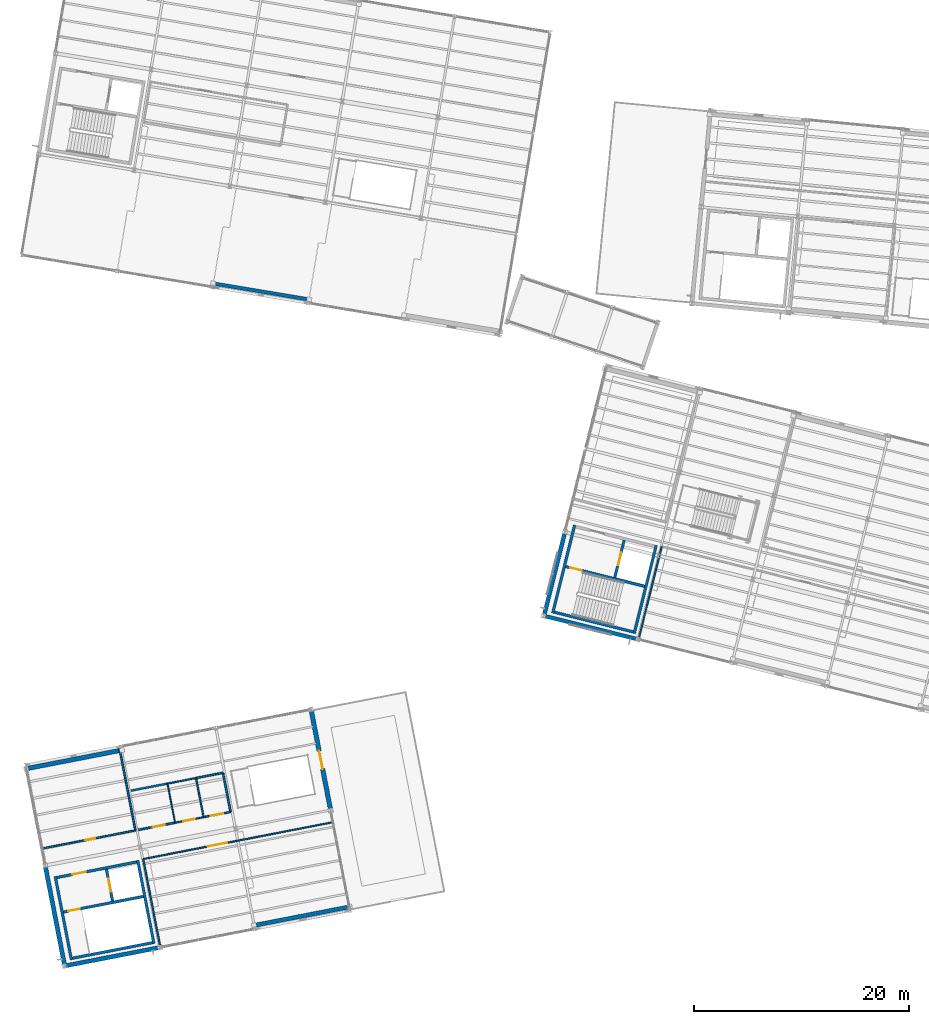
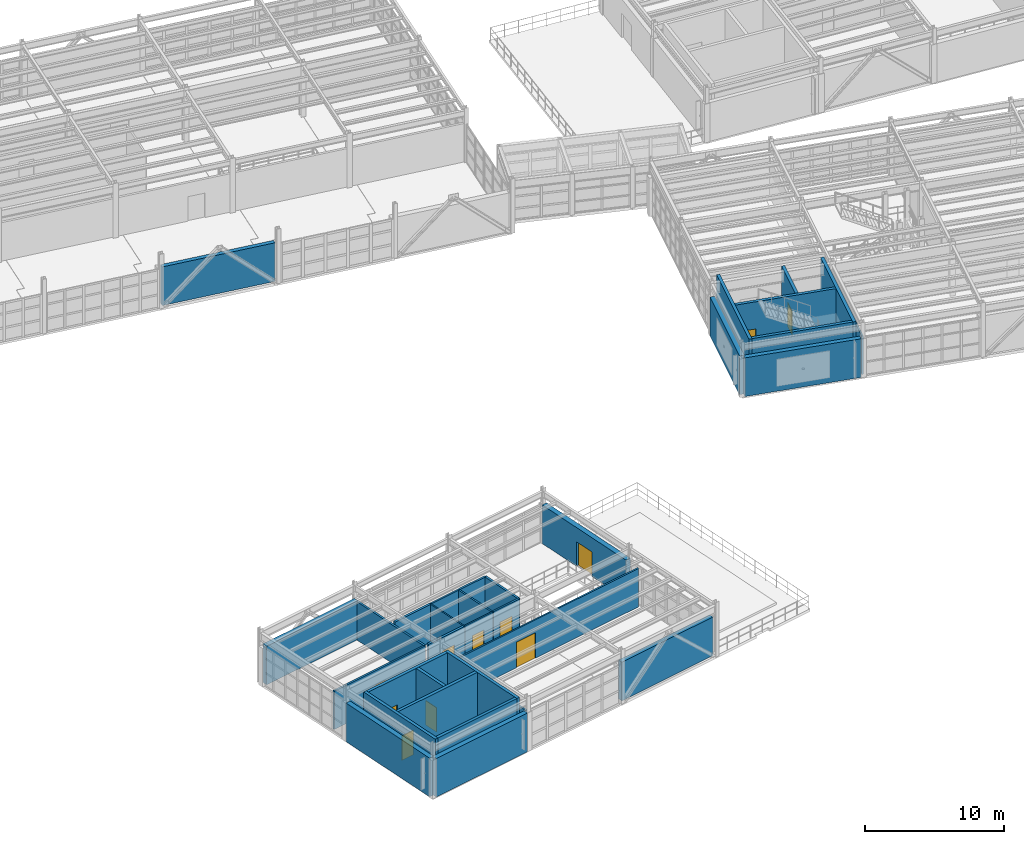
# One storey, part 85 of 102: 33 walls, 11 doors, 11 openings.
"""IFC4 building model written with IfcOpenShell, lengths in metres."""

from ifc_helpers import new_model, si_unit, direction, frame, frame_2d, origin, origin_with_axes, place, context, subcontext, project, spatial, rectangle, extrude, material, layer, layer_set, type_object, element, fill, save


model = new_model("IFC4")

# Units and contexts
model_context = context("Model", 3, precision=1e-05, world=origin(), true_north=direction((0.0, 1.0)))
body_context = subcontext(model_context, "Body", "Model", "MODEL_VIEW")
ifc_project = project(units=[si_unit("LENGTHUNIT", "METRE"), si_unit("AREAUNIT", "SQUARE_METRE"), si_unit("VOLUMEUNIT", "CUBIC_METRE"), si_unit("PLANEANGLEUNIT", "RADIAN"), si_unit("MASSUNIT", "GRAM", prefix="KILO")], contexts=[model_context])

# Site, building, storey
site_placement = place(None, origin())
site = spatial("IfcSite", under=ifc_project, at=site_placement, CompositionType="ELEMENT")
building_placement = place(site_placement, origin())
building = spatial("IfcBuilding", under=site, at=building_placement, Name="Vireo Bluff Cable Station", CompositionType="ELEMENT")
storey_placement = place(building_placement, frame((0.0, 0.0, 9.60009765625)))
storey = spatial("IfcBuildingStorey", under=building, at=storey_placement, Name="L02", CompositionType="ELEMENT", Elevation=9.60009765625)

# Walls
ifc_material_1 = material(Name="Precast concrete f'c 45 MPa", Category="concrete")
ifc_layer_1 = layer(ifc_material_1, 0.330078125, Name="Precast concrete f'c 45 MPa")
ifc_layer_set_1 = layer_set([ifc_layer_1], Name="Precast concrete f'c 45 MPa")
wall_type_1 = type_object("IfcWallType", Name="EW-PRECAST-330", PredefinedType="SOLIDWALL", material=ifc_layer_set_1)
wall_1_placement = place(storey_placement, frame((32.031494140625, 67.40478515625, 0.0), z_axis=(0.0, 0.0, 1.0), x_axis=(-0.986282777047, 0.165064483464, 0.0)))
element("IfcWall", 1, at=wall_1_placement, inside=storey, type_object=wall_type_1, Name="V4 L02 south exterior wall 80", PredefinedType="SOLIDWALL", context=body_context, shape_type="SweptSolid", body=[
    extrude(rectangle(XDim=8.68505859375, YDim=0.330078125, at=frame_2d((4.342529296875, 0.0))), origin(), (0.0, 0.0, 1.0), 3.39990234375),
])
ifc_layer_2 = layer(ifc_material_1, 0.360107421875, Name="Precast concrete f'c 45 MPa")
ifc_layer_set_2 = layer_set([ifc_layer_2], Name="Precast concrete f'c 45 MPa")
wall_type_2 = type_object("IfcWallType", Name="EW-PRECAST-360", PredefinedType="SOLIDWALL", material=ifc_layer_set_2)
wall_2_placement = place(storey_placement, frame((62.580810546875, 35.860595703125, 0.0), z_axis=(0.0, 0.0, 1.0), x_axis=(-0.970297212833, 0.241915933268, 0.0)))
element("IfcWall", 2, at=wall_2_placement, inside=storey, type_object=wall_type_2, Name="V1 L02 south exterior wall 13", PredefinedType="SOLIDWALL", context=body_context, shape_type="SweptSolid", body=[
    extrude(rectangle(XDim=8.71435546875, YDim=0.360107421875, at=frame_2d((4.357177734375, 0.0))), origin(), (0.0, 0.0, 1.0), 3.39990234375),
])
ifc_layer_3 = layer(ifc_material_1, 0.3701171875, Name="Precast concrete f'c 45 MPa")
ifc_layer_set_3 = layer_set([ifc_layer_3], Name="Precast concrete f'c 45 MPa")
wall_type_3 = type_object("IfcWallType", Name="EW-PRECAST-370", PredefinedType="SOLIDWALL", material=ifc_layer_set_3)
wall_3_placement = place(storey_placement, frame((54.03759765625, 38.150390625, 0.0), z_axis=(0.0, 0.0, 1.0), x_axis=(0.241924698327, 0.970295027473, 0.0)))
element("IfcWall", 3, at=wall_3_placement, inside=storey, type_object=wall_type_3, Name="V1 L02 west exterior wall 14", PredefinedType="SOLIDWALL", context=body_context, shape_type="SweptSolid", body=[
    extrude(rectangle(XDim=7.7109375, YDim=0.3701171875, at=frame_2d((3.85546875, 0.0))), origin(), (0.0, 0.0, 1.0), 3.39990234375),
])
ifc_layer_4 = layer(ifc_material_1, 0.3798828125, Name="Precast concrete f'c 45 MPa")
ifc_layer_set_4 = layer_set([ifc_layer_4], Name="Precast concrete f'c 45 MPa")
wall_type_4 = type_object("IfcWallType", Name="EW-PRECAST-380", PredefinedType="SOLIDWALL", material=ifc_layer_set_4)
wall_4_placement = place(storey_placement, frame((35.785400390625, 10.955810546875, 0.0), z_axis=(0.0, 0.0, 1.0), x_axis=(-0.981625921852, -0.190815485611, 0.0)))
element("IfcWall", 4, at=wall_4_placement, inside=storey, type_object=wall_type_4, Name="V5 L02 south exterior wall 105", PredefinedType="SOLIDWALL", context=body_context, shape_type="SweptSolid", body=[
    extrude(rectangle(XDim=8.68505859375, YDim=0.3798828125, at=frame_2d((4.342529296875, 0.0))), origin(), (0.0, 0.0, 1.0), 3.39990234375),
])
ifc_layer_5 = layer(ifc_material_1, 0.389892578125, Name="Precast concrete f'c 45 MPa")
ifc_layer_set_5 = layer_set([ifc_layer_5], Name="Precast concrete f'c 45 MPa")
wall_type_5 = type_object("IfcWallType", Name="EW-PRECAST-390", PredefinedType="SOLIDWALL", material=ifc_layer_set_5)
wall_5_placement = place(storey_placement, frame((18.180908203125, 7.1875, 0.0), z_axis=(0.0, 0.0, 1.0), x_axis=(-0.981624721818, -0.190821658928, 0.0)))
element("IfcWall", 5, at=wall_5_placement, inside=storey, type_object=wall_type_5, Name="V5 L02 south exterior wall 106", PredefinedType="SOLIDWALL", context=body_context, shape_type="SweptSolid", body=[
    extrude(rectangle(XDim=8.712890625, YDim=0.389892578125, at=frame_2d((4.3564453125, 0.0))), origin(), (0.0, 0.0, 1.0), 3.39990234375),
])
ifc_layer_6 = layer(ifc_material_1, 0.39990234375, Name="Precast concrete f'c 45 MPa")
ifc_layer_set_6 = layer_set([ifc_layer_6], Name="Precast concrete f'c 45 MPa")
wall_type_6 = type_object("IfcWallType", Name="EW-PRECAST-400", PredefinedType="SOLIDWALL", material=ifc_layer_set_6)
wall_6_placement = place(storey_placement, frame((9.474365234375, 5.631591796875, 0.0), z_axis=(0.0, 0.0, 1.0), x_axis=(-0.190802200021, 0.981628504307, 0.0)))
element("IfcWall", 6, at=wall_6_placement, inside=storey, type_object=wall_type_6, Name="V5 L02 west exterior wall 107", PredefinedType="SOLIDWALL", context=body_context, shape_type="SweptSolid", body=[
    extrude(rectangle(XDim=9.202392578125, YDim=0.39990234375, at=frame_2d((4.60107421875, 0.0))), origin(), (0.0, 0.0, 1.0), 3.39990234375),
])
ifc_layer_7 = layer(ifc_material_1, 0.409912109375, Name="Precast concrete f'c 45 MPa")
ifc_layer_set_7 = layer_set([ifc_layer_7], Name="Precast concrete f'c 45 MPa")
wall_type_7 = type_object("IfcWallType", Name="EW-PRECAST-410", PredefinedType="SOLIDWALL", material=ifc_layer_set_7)
wall_7_placement = place(storey_placement, frame((6.094970703125, 23.847412109375, 0.0), z_axis=(0.0, 0.0, 1.0), x_axis=(0.981626909713, 0.190810403615, 0.0)))
element("IfcWall", 7, at=wall_7_placement, inside=storey, type_object=wall_type_7, Name="V5 L02 north exterior wall 108", PredefinedType="SOLIDWALL", context=body_context, shape_type="SweptSolid", body=[
    extrude(rectangle(XDim=8.712158203125, YDim=0.409912109375, at=frame_2d((4.35595703125, 0.0))), origin(), (0.0, 0.0, 1.0), 3.39990234375),
])

# Wall, opening, door
ifc_layer_8 = layer(ifc_material_1, 0.419921875, Name="Precast concrete f'c 45 MPa")
ifc_layer_set_8 = layer_set([ifc_layer_8], Name="Precast concrete f'c 45 MPa")
wall_type_8 = type_object("IfcWallType", Name="EW-PRECAST-420", PredefinedType="SOLIDWALL", material=ifc_layer_set_8)
wall_8_placement = place(storey_placement, frame((32.40966796875, 29.142333984375, 0.0), z_axis=(0.0, 0.0, 1.0), x_axis=(0.19082776378, -0.981623535053, 0.0)))
wall_8 = element("IfcWall", 8, at=wall_8_placement, inside=storey, type_object=wall_type_8, Name="V5 L02 east exterior wall 109", PredefinedType="SOLIDWALL", context=body_context, shape_type="SweptSolid", body=[
    extrude(rectangle(XDim=9.20263671875, YDim=0.419921875, at=frame_2d((4.601318359375, 0.0))), origin(), (0.0, 0.0, 1.0), 3.39990234375),
])
opening_1_placement = place(wall_8_placement, frame((3.751220703125, 0.0, 0.0)))
opening_1 = element("IfcOpeningElement", 9, at=opening_1_placement, cuts=wall_8, Name="Opening TD-004", PredefinedType="OPENING", context=body_context, shape_type="SweptSolid", body=[
    extrude(rectangle(XDim=1.699951171875, YDim=2.14990234375, at=frame_2d((0.85009765625, 1.074951171875))), frame((0.0, 0.219970703125, 0.0), z_axis=(0.0, -1.0, 0.0), x_axis=(1.0, 0.0, 0.0)), (0.0, 0.0, 1.0), 0.43994140625),
])
ifc_material_2 = material(Name="Anodized Aluminium 6063-T6", Category="aluminium")
door_type_1 = type_object("IfcDoorType", Name="TDOOR-1700X2150", OperationType="NOTDEFINED", PredefinedType="DOOR", material=ifc_material_2)
door_1_placement = place(opening_1_placement, origin_with_axes())
door_1 = element("IfcDoor", 10, at=door_1_placement, inside=storey, type_object=door_type_1, Name="V5 L02 terrace access door TD-004", OperationType="SINGLE_SWING_LEFT", OverallHeight=2.14990234375, OverallWidth=1.699951171875, PredefinedType="DOOR", context=body_context, shape_type="SweptSolid", body=[
    extrude(rectangle(XDim=1.699951171875, YDim=2.14990234375, at=frame_2d((0.85009765625, 1.074951171875))), frame((0.0, 0.02490234375, 0.0), z_axis=(0.0, -1.0, 0.0), x_axis=(1.0, 0.0, 0.0)), (0.0, 0.0, 1.0), 0.050048828125),
])
fill(opening_1, door_1)

# Wall
ifc_material_3 = material(Name="Fire-Rated Gypsum Board Partition")
ifc_layer_9 = layer(ifc_material_3, 0.110107421875, Name="Fire-Rated Gypsum Board Partition")
ifc_layer_set_9 = layer_set([ifc_layer_9], Name="Fire-Rated Gypsum Board Partition")
wall_type_9 = type_object("IfcWallType", Name="PT-1HR-110", PredefinedType="PARTITIONING", material=ifc_layer_set_9)
wall_9_placement = place(storey_placement, frame((19.04443359375, 22.432373046875, 0.0), z_axis=(0.0, 0.0, 1.0), x_axis=(0.190821974723, -0.981624660429, 0.0)))
element("IfcWall", 11, at=wall_9_placement, inside=storey, type_object=wall_type_9, Name="V5 L02 Accessible WC L02 E partition", PredefinedType="PARTITIONING", context=body_context, shape_type="SweptSolid", body=[
    extrude(rectangle(XDim=3.699951171875, YDim=0.110107421875, at=frame_2d((1.85009765625, 0.0))), origin(), (0.0, 0.0, 1.0), 3.3798828125),
])

# Wall, opening, door
ifc_layer_10 = layer(ifc_material_3, 0.1201171875, Name="Fire-Rated Gypsum Board Partition")
ifc_layer_set_10 = layer_set([ifc_layer_10], Name="Fire-Rated Gypsum Board Partition")
wall_type_10 = type_object("IfcWallType", Name="PT-1HR-120", PredefinedType="PARTITIONING", material=ifc_layer_set_10)
wall_10_placement = place(storey_placement, frame((22.40087890625, 19.3154296875, 0.0), z_axis=(0.0, 0.0, 1.0), x_axis=(-0.981629291962, -0.190798147692, 0.0)))
wall_10 = element("IfcWall", 12, at=wall_10_placement, inside=storey, type_object=wall_type_10, Name="V5 L02 Male WC L02 S partition", PredefinedType="PARTITIONING", context=body_context, shape_type="SweptSolid", body=[
    extrude(rectangle(XDim=2.64990234375, YDim=0.1201171875, at=frame_2d((1.324951171875, 0.0))), origin(), (0.0, 0.0, 1.0), 3.3798828125),
])
opening_2_placement = place(wall_10_placement, frame((0.865478515625, 0.0, 0.0)))
opening_2 = element("IfcOpeningElement", 13, at=opening_2_placement, cuts=wall_10, Name="Opening D-0121", PredefinedType="OPENING", context=body_context, shape_type="SweptSolid", body=[
    extrude(rectangle(XDim=1.080078125, YDim=2.179931640625, at=frame_2d((0.5400390625, 1.08984375))), frame((0.0, 0.070068359375, 0.0), z_axis=(0.0, -1.0, 0.0), x_axis=(1.0, 0.0, 0.0)), (0.0, 0.0, 1.0), 0.14013671875),
])
door_type_2 = type_object("IfcDoorType", Name="IDOOR60-1080X2180", OperationType="NOTDEFINED", PredefinedType="DOOR", material=ifc_material_2)
door_2_placement = place(opening_2_placement, origin_with_axes())
door_2 = element("IfcDoor", 14, at=door_2_placement, inside=storey, type_object=door_type_2, Name="V5 L02 Male WC L02 door D-0121", OperationType="SINGLE_SWING_RIGHT", OverallHeight=2.179931640625, OverallWidth=1.080078125, PredefinedType="DOOR", context=body_context, shape_type="SweptSolid", body=[
    extrude(rectangle(XDim=1.080078125, YDim=2.179931640625, at=frame_2d((0.5400390625, 1.08984375))), frame((0.0, 0.02490234375, 0.0), z_axis=(0.0, -1.0, 0.0), x_axis=(1.0, 0.0, 0.0)), (0.0, 0.0, 1.0), 0.050048828125),
])
fill(opening_2, door_2)

# Wall
ifc_layer_11 = layer(ifc_material_3, 0.1298828125, Name="Fire-Rated Gypsum Board Partition")
ifc_layer_set_11 = layer_set([ifc_layer_11], Name="Fire-Rated Gypsum Board Partition")
wall_type_11 = type_object("IfcWallType", Name="PT-1HR-130", PredefinedType="PARTITIONING", material=ifc_layer_set_11)
wall_11_placement = place(storey_placement, frame((62.822265625, 35.9755859375, 0.0), z_axis=(0.0, 0.0, 1.0), x_axis=(0.24193020533, 0.97029365439, 0.0)))
element("IfcWall", 15, at=wall_11_placement, inside=storey, type_object=wall_type_11, Name="V1 L02 Fare-Gate Concourse Mezzanine W partition", PredefinedType="PARTITIONING", context=body_context, shape_type="SweptSolid", body=[
    extrude(rectangle(XDim=8.72998046875, YDim=0.1298828125, at=frame_2d((4.364990234375, 0.0))), origin(), (0.0, 0.0, 1.0), 3.3798828125),
])

# Wall, opening, door
wall_12_placement = place(storey_placement, frame((16.79052734375, 15.42333984375, 0.0), z_axis=(0.0, 0.0, 1.0), x_axis=(0.981627322124, 0.190808281949, 0.0)))
wall_12 = element("IfcWall", 16, at=wall_12_placement, inside=storey, type_object=wall_type_11, Name="V5 L02 Community Room West N partition", PredefinedType="PARTITIONING", context=body_context, shape_type="SweptSolid", body=[
    extrude(rectangle(XDim=17.780029296875, YDim=0.1298828125, at=frame_2d((8.89013671875, 0.0))), origin(), (0.0, 0.0, 1.0), 3.3798828125),
])
opening_3_placement = place(wall_12_placement, frame((6.131103515625, 0.0, 0.0)))
opening_3 = element("IfcOpeningElement", 17, at=opening_3_placement, cuts=wall_12, Name="Opening D-0118", PredefinedType="OPENING", context=body_context, shape_type="SweptSolid", body=[
    extrude(rectangle(XDim=1.800048828125, YDim=2.25, at=frame_2d((0.89990234375, 1.125))), frame((0.0, 0.074951171875, 0.0), z_axis=(0.0, -1.0, 0.0), x_axis=(1.0, 0.0, 0.0)), (0.0, 0.0, 1.0), 0.14990234375),
])
door_type_3 = type_object("IfcDoorType", Name="IDOOR60-1800X2250", OperationType="NOTDEFINED", PredefinedType="DOOR", material=ifc_material_2)
door_3_placement = place(opening_3_placement, origin_with_axes())
door_3 = element("IfcDoor", 18, at=door_3_placement, inside=storey, type_object=door_type_3, Name="V5 L02 Community Room West door D-0118", OperationType="DOUBLE_DOOR_SINGLE_SWING", OverallHeight=2.25, OverallWidth=1.800048828125, PredefinedType="DOOR", context=body_context, shape_type="SweptSolid", body=[
    extrude(rectangle(XDim=1.800048828125, YDim=2.25, at=frame_2d((0.89990234375, 1.125))), frame((0.0, 0.02490234375, 0.0), z_axis=(0.0, -1.0, 0.0), x_axis=(1.0, 0.0, 0.0)), (0.0, 0.0, 1.0), 0.050048828125),
])
fill(opening_3, door_3)

# Walls
wall_13_placement = place(storey_placement, frame((19.093505859375, 22.44189453125, 0.0), z_axis=(0.0, 0.0, 1.0), x_axis=(0.981629291962, 0.190798147692, 0.0)))
element("IfcWall", 19, at=wall_13_placement, inside=storey, type_object=wall_type_11, Name="V5 L02 Male WC L02 N partition", PredefinedType="PARTITIONING", context=body_context, shape_type="SweptSolid", body=[
    extrude(rectangle(XDim=2.64990234375, YDim=0.1298828125, at=frame_2d((1.324951171875, 0.0))), origin(), (0.0, 0.0, 1.0), 3.3798828125),
])
ifc_layer_12 = layer(ifc_material_3, 0.139892578125, Name="Fire-Rated Gypsum Board Partition")
ifc_layer_set_12 = layer_set([ifc_layer_12], Name="Fire-Rated Gypsum Board Partition")
wall_type_12 = type_object("IfcWallType", Name="PT-1HR-140", PredefinedType="PARTITIONING", material=ifc_layer_set_12)
wall_14_placement = place(storey_placement, frame((18.351318359375, 7.393798828125, 0.0), z_axis=(0.0, 0.0, 1.0), x_axis=(-0.190809743504, 0.981627038026, 0.0)))
element("IfcWall", 20, at=wall_14_placement, inside=storey, type_object=wall_type_12, Name="V5 L02 Community Room West W partition", PredefinedType="PARTITIONING", context=body_context, shape_type="SweptSolid", body=[
    extrude(rectangle(XDim=8.179931640625, YDim=0.139892578125, at=frame_2d((4.08984375, 0.0))), origin(), (0.0, 0.0, 1.0), 3.3798828125),
])
wall_15_placement = place(storey_placement, frame((21.69482421875, 22.947509765625, 0.0), z_axis=(0.0, 0.0, 1.0), x_axis=(0.190821974723, -0.981624660429, 0.0)))
element("IfcWall", 21, at=wall_15_placement, inside=storey, type_object=wall_type_12, Name="V5 L02 Male WC L02 E partition", PredefinedType="PARTITIONING", context=body_context, shape_type="SweptSolid", body=[
    extrude(rectangle(XDim=3.699951171875, YDim=0.139892578125, at=frame_2d((1.85009765625, 0.0))), origin(), (0.0, 0.0, 1.0), 3.3798828125),
])

# Wall, opening, door
ifc_layer_13 = layer(ifc_material_3, 0.14990234375, Name="Fire-Rated Gypsum Board Partition")
ifc_layer_set_13 = layer_set([ifc_layer_13], Name="Fire-Rated Gypsum Board Partition")
wall_type_13 = type_object("IfcWallType", Name="PT-1HR-150", PredefinedType="PARTITIONING", material=ifc_layer_set_13)
wall_16_placement = place(storey_placement, frame((16.0693359375, 18.084716796875, 0.0), z_axis=(0.0, 0.0, 1.0), x_axis=(-0.981626513262, -0.190812443151, 0.0)))
wall_16 = element("IfcWall", 22, at=wall_16_placement, inside=storey, type_object=wall_type_13, Name="V5 L02 Garden Pavilion Reading Lounge S partition", PredefinedType="PARTITIONING", context=body_context, shape_type="SweptSolid", body=[
    extrude(rectangle(XDim=8.679931640625, YDim=0.14990234375, at=frame_2d((4.33984375, 0.0))), origin(), (0.0, 0.0, 1.0), 3.3798828125),
])
opening_4_placement = place(wall_16_placement, frame((3.784912109375, 0.0, 0.0)))
opening_4 = element("IfcOpeningElement", 23, at=opening_4_placement, cuts=wall_16, Name="Opening D-0119", PredefinedType="OPENING", context=body_context, shape_type="SweptSolid", body=[
    extrude(rectangle(XDim=0.97998046875, YDim=2.1201171875, at=frame_2d((0.489990234375, 1.06005859375))), frame((0.0, 0.0849609375, 0.0), z_axis=(0.0, -1.0, 0.0), x_axis=(1.0, 0.0, 0.0)), (0.0, 0.0, 1.0), 0.169921875),
])
door_type_4 = type_object("IfcDoorType", Name="IDOOR60-980X2120", OperationType="NOTDEFINED", PredefinedType="DOOR", material=ifc_material_2)
door_4_placement = place(opening_4_placement, origin_with_axes())
door_4 = element("IfcDoor", 24, at=door_4_placement, inside=storey, type_object=door_type_4, Name="V5 L02 Garden Pavilion Reading Lounge door D-0119", OperationType="SINGLE_SWING_RIGHT", OverallHeight=2.1201171875, OverallWidth=0.97998046875, PredefinedType="DOOR", context=body_context, shape_type="SweptSolid", body=[
    extrude(rectangle(XDim=0.97998046875, YDim=2.1201171875, at=frame_2d((0.489990234375, 1.06005859375))), frame((0.0, 0.02490234375, 0.0), z_axis=(0.0, -1.0, 0.0), x_axis=(1.0, 0.0, 0.0)), (0.0, 0.0, 1.0), 0.050048828125),
])
fill(opening_4, door_4)

wall_17_placement = place(storey_placement, frame((24.904052734375, 19.802001953125, 0.0), z_axis=(0.0, 0.0, 1.0), x_axis=(-0.981625553083, -0.190817382683, 0.0)))
wall_17 = element("IfcWall", 25, at=wall_17_placement, inside=storey, type_object=wall_type_13, Name="V5 L02 Female WC L02 S partition", PredefinedType="PARTITIONING", context=body_context, shape_type="SweptSolid", body=[
    extrude(rectangle(XDim=2.5, YDim=0.14990234375, at=frame_2d((1.25, 0.0))), origin(), (0.0, 0.0, 1.0), 3.3798828125),
])
opening_5_placement = place(wall_17_placement, frame((0.71044921875, 0.0, 0.0)))
opening_5 = element("IfcOpeningElement", 26, at=opening_5_placement, cuts=wall_17, Name="Opening D-0122", PredefinedType="OPENING", context=body_context, shape_type="SweptSolid", body=[
    extrude(rectangle(XDim=1.179931640625, YDim=2.179931640625, at=frame_2d((0.58984375, 1.08984375))), frame((0.0, 0.0849609375, 0.0), z_axis=(0.0, -1.0, 0.0), x_axis=(1.0, 0.0, 0.0)), (0.0, 0.0, 1.0), 0.169921875),
])
door_type_5 = type_object("IfcDoorType", Name="IDOOR60-1180X2180", OperationType="NOTDEFINED", PredefinedType="DOOR", material=ifc_material_2)
door_5_placement = place(opening_5_placement, origin_with_axes())
door_5 = element("IfcDoor", 27, at=door_5_placement, inside=storey, type_object=door_type_5, Name="V5 L02 Female WC L02 door D-0122", OperationType="SINGLE_SWING_LEFT", OverallHeight=2.179931640625, OverallWidth=1.179931640625, PredefinedType="DOOR", context=body_context, shape_type="SweptSolid", body=[
    extrude(rectangle(XDim=1.179931640625, YDim=2.179931640625, at=frame_2d((0.58984375, 1.08984375))), frame((0.0, 0.02490234375, 0.0), z_axis=(0.0, -1.0, 0.0), x_axis=(1.0, 0.0, 0.0)), (0.0, 0.0, 1.0), 0.050048828125),
])
fill(opening_5, door_5)

# Walls
ifc_layer_14 = layer(ifc_material_3, 0.1650390625, Name="Fire-Rated Gypsum Board Partition")
ifc_layer_set_14 = layer_set([ifc_layer_14], Name="Fire-Rated Gypsum Board Partition")
wall_type_14 = type_object("IfcWallType", Name="PT-1HR-165", PredefinedType="PARTITIONING", material=ifc_layer_set_14)
wall_18_placement = place(storey_placement, frame((14.594482421875, 25.672607421875, 0.0), z_axis=(0.0, 0.0, 1.0), x_axis=(0.190798647549, -0.981629194805, 0.0)))
element("IfcWall", 28, at=wall_18_placement, inside=storey, type_object=wall_type_14, Name="V5 L02 Garden Pavilion Reading Lounge E partition", PredefinedType="PARTITIONING", context=body_context, shape_type="SweptSolid", body=[
    extrude(rectangle(XDim=7.72998046875, YDim=0.1650390625, at=frame_2d((3.864990234375, 0.0))), origin(), (0.0, 0.0, 1.0), 3.3798828125),
])
wall_19_placement = place(storey_placement, frame((21.743896484375, 22.95703125, 0.0), z_axis=(0.0, 0.0, 1.0), x_axis=(0.981625553083, 0.190817382683, 0.0)))
element("IfcWall", 29, at=wall_19_placement, inside=storey, type_object=wall_type_14, Name="V5 L02 Female WC L02 N partition", PredefinedType="PARTITIONING", context=body_context, shape_type="SweptSolid", body=[
    extrude(rectangle(XDim=2.5, YDim=0.1650390625, at=frame_2d((1.25, 0.0))), origin(), (0.0, 0.0, 1.0), 3.3798828125),
])

# Wall, opening, door
ifc_layer_15 = layer(ifc_material_3, 0.175048828125, Name="Fire-Rated Gypsum Board Partition")
ifc_layer_set_15 = layer_set([ifc_layer_15], Name="Fire-Rated Gypsum Board Partition")
wall_type_15 = type_object("IfcWallType", Name="PT-1HR-175", PredefinedType="PARTITIONING", material=ifc_layer_set_15)
wall_20_placement = place(storey_placement, frame((19.75048828125, 18.80029296875, 0.0), z_axis=(0.0, 0.0, 1.0), x_axis=(-0.981617231159, -0.190860188338, 0.0)))
wall_20 = element("IfcWall", 30, at=wall_20_placement, inside=storey, type_object=wall_type_15, Name="V5 L02 Accessible WC L02 S partition", PredefinedType="PARTITIONING", context=body_context, shape_type="SweptSolid", body=[
    extrude(rectangle(XDim=3.449951171875, YDim=0.175048828125, at=frame_2d((1.72509765625, 0.0))), origin(), (0.0, 0.0, 1.0), 3.3798828125),
])
opening_6_placement = place(wall_20_placement, frame((0.993408203125, 0.0, 0.0)))
opening_6 = element("IfcOpeningElement", 31, at=opening_6_placement, cuts=wall_20, Name="Opening D-0120", PredefinedType="OPENING", context=body_context, shape_type="SweptSolid", body=[
    extrude(rectangle(XDim=1.1201171875, YDim=2.179931640625, at=frame_2d((0.56005859375, 1.08984375))), frame((0.0, 0.09765625, 0.0), z_axis=(0.0, -1.0, 0.0), x_axis=(1.0, 0.0, 0.0)), (0.0, 0.0, 1.0), 0.195068359375),
])
door_type_6 = type_object("IfcDoorType", Name="IDOOR60-1120X2180", OperationType="NOTDEFINED", PredefinedType="DOOR", material=ifc_material_2)
door_6_placement = place(opening_6_placement, origin_with_axes())
door_6 = element("IfcDoor", 32, at=door_6_placement, inside=storey, type_object=door_type_6, Name="V5 L02 Accessible WC L02 door D-0120", OperationType="SINGLE_SWING_LEFT", OverallHeight=2.179931640625, OverallWidth=1.1201171875, PredefinedType="DOOR", context=body_context, shape_type="SweptSolid", body=[
    extrude(rectangle(XDim=1.1201171875, YDim=2.179931640625, at=frame_2d((0.56005859375, 1.08984375))), frame((0.0, 0.02490234375, 0.0), z_axis=(0.0, -1.0, 0.0), x_axis=(1.0, 0.0, 0.0)), (0.0, 0.0, 1.0), 0.050048828125),
])
fill(opening_6, door_6)

# Walls
wall_21_placement = place(storey_placement, frame((24.197998046875, 23.43408203125, 0.0), z_axis=(0.0, 0.0, 1.0), x_axis=(0.190821974723, -0.981624660429, 0.0)))
element("IfcWall", 33, at=wall_21_placement, inside=storey, type_object=wall_type_15, Name="V5 L02 Female WC L02 E partition", PredefinedType="PARTITIONING", context=body_context, shape_type="SweptSolid", body=[
    extrude(rectangle(XDim=3.699951171875, YDim=0.175048828125, at=frame_2d((1.85009765625, 0.0))), origin(), (0.0, 0.0, 1.0), 3.3798828125),
])
ifc_layer_16 = layer(ifc_material_3, 0.18994140625, Name="Fire-Rated Gypsum Board Partition")
ifc_layer_set_16 = layer_set([ifc_layer_16], Name="Fire-Rated Gypsum Board Partition")
wall_type_16 = type_object("IfcWallType", Name="PT-1HR-190", PredefinedType="PARTITIONING", material=ifc_layer_set_16)
wall_22_placement = place(storey_placement, frame((15.657958984375, 21.77392578125, 0.0), z_axis=(0.0, 0.0, 1.0), x_axis=(0.981617231159, 0.190860188338, 0.0)))
element("IfcWall", 34, at=wall_22_placement, inside=storey, type_object=wall_type_16, Name="V5 L02 Accessible WC L02 N partition", PredefinedType="PARTITIONING", context=body_context, shape_type="SweptSolid", body=[
    extrude(rectangle(XDim=3.449951171875, YDim=0.18994140625, at=frame_2d((1.72509765625, 0.0))), origin(), (0.0, 0.0, 1.0), 3.3798828125),
])
ifc_material_4 = material(Name="Concrete f'c 40 MPa", Category="concrete")
ifc_layer_17 = layer(ifc_material_4, 0.25, Name="Concrete f'c 40 MPa")
ifc_layer_set_17 = layer_set([ifc_layer_17], Name="Concrete f'c 40 MPa")
wall_type_17 = type_object("IfcWallType", Name="SW-CORE-250", PredefinedType="SHEAR", material=ifc_layer_set_17)
for number, where, z_axis, x_axis, name in (
    (35, (54.809814453125, 38.25146484375, 0.0), (0.0, 0.0, 1.0), (0.24193628408, 0.970292138712, 0.0), "CORE-2 L02 core W shear wall"),
    (36, (62.378173828125, 36.364501953125, 0.0), (0.0, 0.0, 1.0), (0.24193628408, 0.970292138712, 0.0), "CORE-2 L02 core E shear wall"),
):
    element("IfcWall", number, at=place(storey_placement, frame(where, z_axis=z_axis, x_axis=x_axis)), inside=storey, type_object=wall_type_17, Name=name, PredefinedType="SHEAR", context=body_context, shape_type="SweptSolid", body=[
        extrude(rectangle(XDim=8.43505859375, YDim=0.25, at=frame_2d((4.217529296875, 0.0))), origin(), (0.0, 0.0, 1.0), 4.539794921875),
    ])
wall_23_placement = place(storey_placement, frame((54.96142578125, 38.342529296875, 0.0), z_axis=(0.0, 0.0, 1.0), x_axis=(0.97029827707, -0.241911664693, 0.0)))
element("IfcWall", 37, at=wall_23_placement, inside=storey, type_object=wall_type_17, Name="CORE-2 L02 stair shaft south shear wall", PredefinedType="SHEAR", context=body_context, shape_type="SweptSolid", body=[
    extrude(rectangle(XDim=7.550048828125, YDim=0.25, at=frame_2d((3.77490234375, 0.0))), origin(), (0.0, 0.0, 1.0), 4.539794921875),
])

# Wall, opening, door
wall_24_placement = place(storey_placement, frame((63.344482421875, 40.75634765625, 0.0), z_axis=(0.0, 0.0, 1.0), x_axis=(-0.970300169372, 0.241904074618, 0.0)))
wall_24 = element("IfcWall", 38, at=wall_24_placement, inside=storey, type_object=wall_type_17, Name="CORE-2 L02 stair shaft north shear wall", PredefinedType="SHEAR", context=body_context, shape_type="SweptSolid", body=[
    extrude(rectangle(XDim=7.550048828125, YDim=0.25, at=frame_2d((3.77490234375, 0.0))), origin(), (0.0, 0.0, 1.0), 4.539794921875),
])
opening_7_placement = place(wall_24_placement, frame((6.0, 0.0, 0.0)))
opening_7 = element("IfcOpeningElement", 39, at=opening_7_placement, cuts=wall_24, Name="Opening SD-011", PredefinedType="OPENING", context=body_context, shape_type="SweptSolid", body=[
    extrude(rectangle(XDim=1.10009765625, YDim=2.14990234375, at=frame_2d((0.550048828125, 1.074951171875))), frame((0.0, 0.135009765625, 0.0), z_axis=(0.0, -1.0, 0.0), x_axis=(1.0, 0.0, 0.0)), (0.0, 0.0, 1.0), 0.27001953125),
])
ifc_material_5 = material(Name="Stainless Steel 316", Category="steel")
door_type_7 = type_object("IfcDoorType", Name="IDOOR90-1100X2150", OperationType="NOTDEFINED", PredefinedType="DOOR", material=ifc_material_5)
door_7_placement = place(opening_7_placement, origin_with_axes())
door_7 = element("IfcDoor", 40, at=door_7_placement, inside=storey, type_object=door_type_7, Name="CORE-2 L02 stair fire door SD-011", OperationType="SINGLE_SWING_RIGHT", OverallHeight=2.14990234375, OverallWidth=1.10009765625, PredefinedType="DOOR", context=body_context, shape_type="SweptSolid", body=[
    extrude(rectangle(XDim=1.10009765625, YDim=2.14990234375, at=frame_2d((0.550048828125, 1.074951171875))), frame((0.0, 0.02490234375, 0.0), z_axis=(0.0, -1.0, 0.0), x_axis=(1.0, 0.0, 0.0)), (0.0, 0.0, 1.0), 0.050048828125),
])
fill(opening_7, door_7)

wall_25_placement = place(storey_placement, frame((60.5849609375, 41.572998046875, 0.0), z_axis=(0.0, 0.0, 1.0), x_axis=(0.241939401498, 0.970291361398, 0.0)))
wall_25 = element("IfcWall", 41, at=wall_25_placement, inside=storey, type_object=wall_type_17, Name="CORE-2 L02 lift shaft front wall", PredefinedType="SHEAR", context=body_context, shape_type="SweptSolid", body=[
    extrude(rectangle(XDim=3.565185546875, YDim=0.25, at=frame_2d((1.78271484375, 0.0))), origin(), (0.0, 0.0, 1.0), 4.539794921875),
])
opening_8_placement = place(wall_25_placement, frame((1.1826171875, 0.0, 0.0)))
opening_8 = element("IfcOpeningElement", 42, at=opening_8_placement, cuts=wall_25, Name="Opening LD-006", PredefinedType="OPENING", context=body_context, shape_type="SweptSolid", body=[
    extrude(rectangle(XDim=1.199951171875, YDim=2.14990234375, at=frame_2d((0.60009765625, 1.074951171875))), frame((0.0, 0.135009765625, 0.0), z_axis=(0.0, -1.0, 0.0), x_axis=(1.0, 0.0, 0.0)), (0.0, 0.0, 1.0), 0.27001953125),
])
door_type_8 = type_object("IfcDoorType", Name="LIFTDOOR-1200X2150", OperationType="DOUBLE_DOOR_SLIDING", PredefinedType="DOOR", material=ifc_material_5)
door_8_placement = place(opening_8_placement, origin_with_axes())
door_8 = element("IfcDoor", 43, at=door_8_placement, inside=storey, type_object=door_type_8, Name="CORE-2 L02 lift sliding landing door LD-006", OperationType="DOUBLE_DOOR_SLIDING", OverallHeight=2.14990234375, OverallWidth=1.199951171875, PredefinedType="DOOR", context=body_context, shape_type="SweptSolid", body=[
    extrude(rectangle(XDim=1.199951171875, YDim=2.14990234375, at=frame_2d((0.60009765625, 1.074951171875))), frame((0.0, 0.02490234375, 0.0), z_axis=(0.0, -1.0, 0.0), x_axis=(1.0, 0.0, 0.0)), (0.0, 0.0, 1.0), 0.050048828125),
])
fill(opening_8, door_8)

# Walls
for number, where, z_axis, x_axis, name in (
    (44, (10.127685546875, 6.0703125, 0.0), (0.0, 0.0, 1.0), (-0.190795899131, 0.981629729009, 0.0), "CORE-5 L02 core W shear wall"),
    (45, (17.784423828125, 7.55859375, 0.0), (0.0, 0.0, 1.0), (-0.190825735014, 0.981623929444, 0.0), "CORE-5 L02 core E shear wall"),
):
    element("IfcWall", number, at=place(storey_placement, frame(where, z_axis=z_axis, x_axis=x_axis)), inside=storey, type_object=wall_type_17, Name=name, PredefinedType="SHEAR", context=body_context, shape_type="SweptSolid", body=[
        extrude(rectangle(XDim=7.884765625, YDim=0.25, at=frame_2d((3.9423828125, 0.0))), origin(), (0.0, 0.0, 1.0), 4.539794921875),
    ])
wall_26_placement = place(storey_placement, frame((10.2265625, 6.216796875, 0.0), z_axis=(0.0, 0.0, 1.0), x_axis=(0.981625990538, 0.190815132265, 0.0)))
element("IfcWall", 46, at=wall_26_placement, inside=storey, type_object=wall_type_17, Name="CORE-5 L02 stair shaft south shear wall", PredefinedType="SHEAR", context=body_context, shape_type="SweptSolid", body=[
    extrude(rectangle(XDim=7.550048828125, YDim=0.25, at=frame_2d((3.77490234375, 0.0))), origin(), (0.0, 0.0, 1.0), 4.539794921875),
])

# Wall, opening, door
wall_27_placement = place(storey_placement, frame((16.803955078125, 11.947021484375, 0.0), z_axis=(0.0, 0.0, 1.0), x_axis=(-0.981630869871, -0.190790029393, 0.0)))
wall_27 = element("IfcWall", 47, at=wall_27_placement, inside=storey, type_object=wall_type_17, Name="CORE-5 L02 stair shaft north shear wall", PredefinedType="SHEAR", context=body_context, shape_type="SweptSolid", body=[
    extrude(rectangle(XDim=7.5498046875, YDim=0.25, at=frame_2d((3.77490234375, 0.0))), origin(), (0.0, 0.0, 1.0), 4.539794921875),
])
opening_9_placement = place(wall_27_placement, frame((6.0, 0.0, 0.0)))
opening_9 = element("IfcOpeningElement", 48, at=opening_9_placement, cuts=wall_27, Name="Opening SD-037", PredefinedType="OPENING", context=body_context, shape_type="SweptSolid", body=[
    extrude(rectangle(XDim=1.10009765625, YDim=2.14990234375, at=frame_2d((0.550048828125, 1.074951171875))), frame((0.0, 0.135009765625, 0.0), z_axis=(0.0, -1.0, 0.0), x_axis=(1.0, 0.0, 0.0)), (0.0, 0.0, 1.0), 0.27001953125),
])
door_9_placement = place(opening_9_placement, origin_with_axes())
door_9 = element("IfcDoor", 49, at=door_9_placement, inside=storey, type_object=door_type_7, Name="CORE-5 L02 stair fire door SD-037", OperationType="SINGLE_SWING_RIGHT", OverallHeight=2.14990234375, OverallWidth=1.10009765625, PredefinedType="DOOR", context=body_context, shape_type="SweptSolid", body=[
    extrude(rectangle(XDim=1.10009765625, YDim=2.14990234375, at=frame_2d((0.550048828125, 1.074951171875))), frame((0.0, 0.02490234375, 0.0), z_axis=(0.0, -1.0, 0.0), x_axis=(1.0, 0.0, 0.0)), (0.0, 0.0, 1.0), 0.050048828125),
])
fill(opening_9, door_9)

wall_28_placement = place(storey_placement, frame((16.18115234375, 15.152099609375, 0.0), z_axis=(0.0, 0.0, 1.0), x_axis=(-0.981625990538, -0.190815132265, 0.0)))
wall_28 = element("IfcWall", 50, at=wall_28_placement, inside=storey, type_object=wall_type_17, Name="CORE-5 L02 core north shear wall", PredefinedType="SHEAR", context=body_context, shape_type="SweptSolid", body=[
    extrude(rectangle(XDim=7.550048828125, YDim=0.25, at=frame_2d((3.77490234375, 0.0))), origin(), (0.0, 0.0, 1.0), 4.539794921875),
])
opening_10_placement = place(wall_28_placement, frame((4.800048828125, 0.0, 0.0)))
opening_10 = element("IfcOpeningElement", 51, at=opening_10_placement, cuts=wall_28, Name="Opening FD-038", PredefinedType="OPENING", context=body_context, shape_type="SweptSolid", body=[
    extrude(rectangle(XDim=1.300048828125, YDim=2.14990234375, at=frame_2d((0.64990234375, 1.074951171875))), frame((0.0, 0.135009765625, 0.0), z_axis=(0.0, -1.0, 0.0), x_axis=(1.0, 0.0, 0.0)), (0.0, 0.0, 1.0), 0.27001953125),
])
door_type_9 = type_object("IfcDoorType", Name="IDOOR90-1300X2150", OperationType="NOTDEFINED", PredefinedType="DOOR", material=ifc_material_5)
door_10_placement = place(opening_10_placement, origin_with_axes())
door_10 = element("IfcDoor", 52, at=door_10_placement, inside=storey, type_object=door_type_9, Name="CORE-5 L02 firefighting lobby door FD-038", OperationType="SINGLE_SWING_LEFT", OverallHeight=2.14990234375, OverallWidth=1.300048828125, PredefinedType="DOOR", context=body_context, shape_type="SweptSolid", body=[
    extrude(rectangle(XDim=1.300048828125, YDim=2.14990234375, at=frame_2d((0.64990234375, 1.074951171875))), frame((0.0, 0.02490234375, 0.0), z_axis=(0.0, -1.0, 0.0), x_axis=(1.0, 0.0, 0.0)), (0.0, 0.0, 1.0), 0.050048828125),
])
fill(opening_10, door_10)

wall_29_placement = place(storey_placement, frame((13.9580078125, 11.521240234375, 0.0), z_axis=(0.0, 0.0, 1.0), x_axis=(-0.190772129474, 0.981634348735, 0.0)))
wall_29 = element("IfcWall", 53, at=wall_29_placement, inside=storey, type_object=wall_type_17, Name="CORE-5 L02 lift shaft front wall", PredefinedType="SHEAR", context=body_context, shape_type="SweptSolid", body=[
    extrude(rectangle(XDim=3.01513671875, YDim=0.25, at=frame_2d((1.507568359375, 0.0))), origin(), (0.0, 0.0, 1.0), 4.539794921875),
])
opening_11_placement = place(wall_29_placement, frame((0.907470703125, 0.0, 0.0)))
opening_11 = element("IfcOpeningElement", 54, at=opening_11_placement, cuts=wall_29, Name="Opening LD-019", PredefinedType="OPENING", context=body_context, shape_type="SweptSolid", body=[
    extrude(rectangle(XDim=1.199951171875, YDim=2.14990234375, at=frame_2d((0.60009765625, 1.074951171875))), frame((0.0, 0.135009765625, 0.0), z_axis=(0.0, -1.0, 0.0), x_axis=(1.0, 0.0, 0.0)), (0.0, 0.0, 1.0), 0.27001953125),
])
door_11_placement = place(opening_11_placement, origin_with_axes())
door_11 = element("IfcDoor", 55, at=door_11_placement, inside=storey, type_object=door_type_8, Name="CORE-5 L02 lift sliding landing door LD-019", OperationType="DOUBLE_DOOR_SLIDING", OverallHeight=2.14990234375, OverallWidth=1.199951171875, PredefinedType="DOOR", context=body_context, shape_type="SweptSolid", body=[
    extrude(rectangle(XDim=1.199951171875, YDim=2.14990234375, at=frame_2d((0.60009765625, 1.074951171875))), frame((0.0, 0.02490234375, 0.0), z_axis=(0.0, -1.0, 0.0), x_axis=(1.0, 0.0, 0.0)), (0.0, 0.0, 1.0), 0.050048828125),
])
fill(opening_11, door_11)

save(model, "model.ifc")
